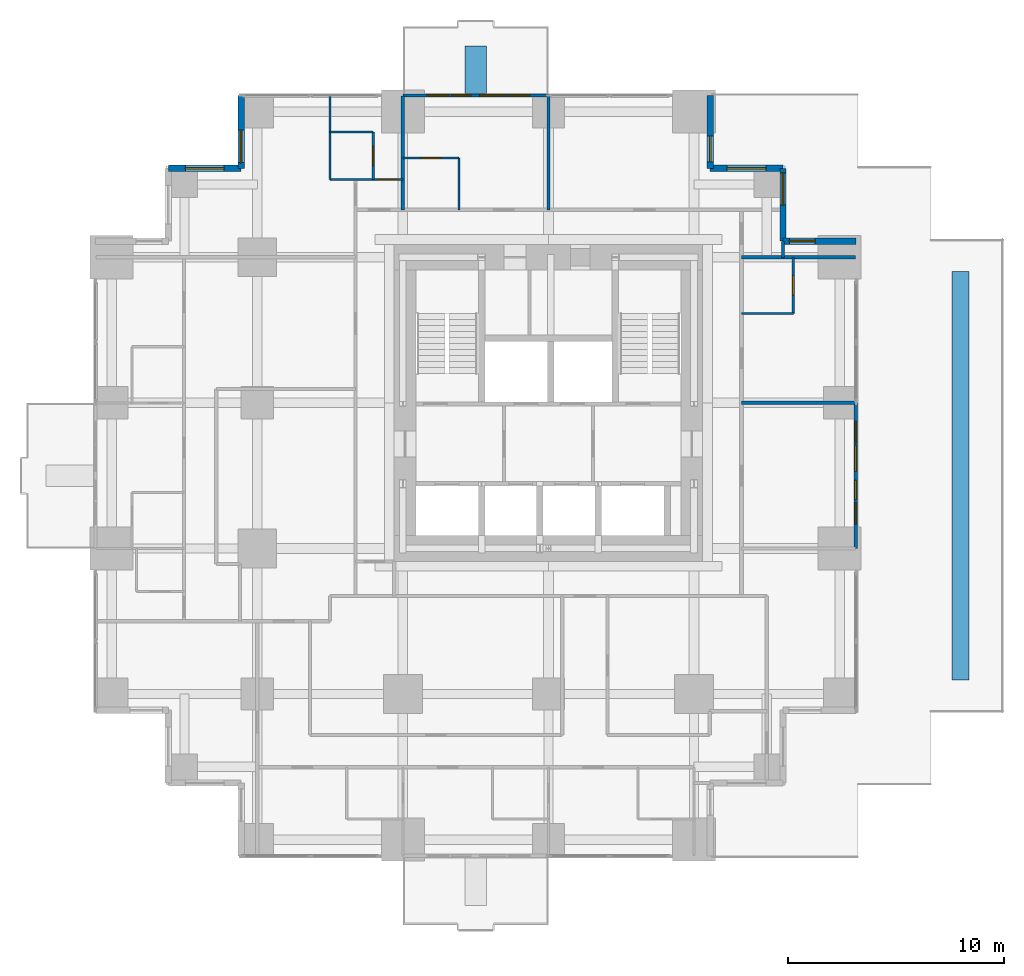
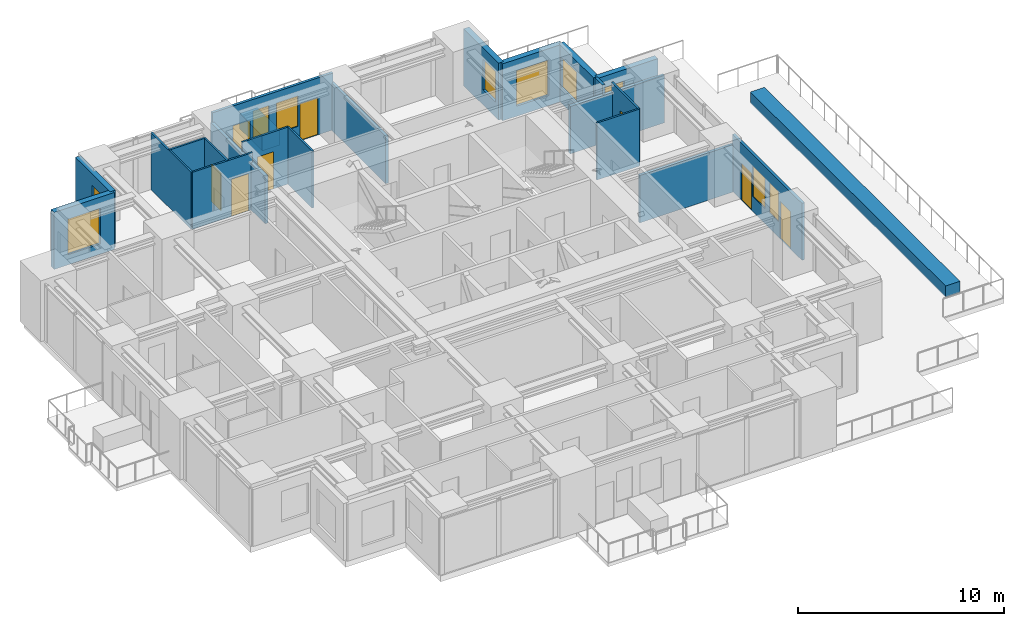
# One storey, part 8 of 10: 23 walls, 10 windows, 8 doors, 18 openings.
"""IFC4 building model written with IfcOpenShell, lengths in metres."""

import ifcopenshell
import ifcopenshell.guid

model = None  # the IFC model being written
_history = None  # IfcOwnerHistory: only IFC2X3 demands one
_inside = {}  # id of a spatial element -> (the spatial element, [elements in it])
_under = {}  # id of a project, library or spatial element -> (it, [spatial elements below it])
_declared = {}  # id of a project -> (the project, [libraries it declares])
_typed = {}  # id of a type object -> (the type object, [elements of that type])
_made_of = {}  # id of a material, layer set ... -> (it, [elements and type objects made of it])


def new_model(schema):
    """Start an empty IFC model of exactly this schema.

    Asked for "IFC4X3", IfcOpenShell would pick the latest addendum, in which some entities
    have other attributes; the version numbers below select the first issue.
    IFC2X3 requires an IfcOwnerHistory on every rooted entity: one is made here for all.
    """
    global model, _history
    if schema == "IFC4X3":
        model = ifcopenshell.file(schema_version=(4, 3, 0, 0))
    else:
        model = ifcopenshell.file(schema=schema)
    _inside.clear()
    _under.clear()
    _declared.clear()
    _typed.clear()
    _made_of.clear()
    _history = None
    if model.schema == "IFC2X3":
        org = make("IfcOrganization", Name="unknown")
        user = make(
            "IfcPersonAndOrganization",
            ThePerson=make("IfcPerson", FamilyName="unknown"),
            TheOrganization=org,
        )
        app = make(
            "IfcApplication",
            ApplicationDeveloper=org,
            Version="unknown",
            ApplicationFullName="unknown",
            ApplicationIdentifier="unknown",
        )
        _history = make(
            "IfcOwnerHistory",
            OwningUser=user,
            OwningApplication=app,
            ChangeAction="ADDED",
            CreationDate=0,
        )
    return model


def make(cls, **values):
    """One entity of the class cls with the attributes given. An attribute that is None is left unset."""
    return model.create_entity(
        cls, **{name: value for name, value in values.items() if value is not None}
    )


def rooted(cls, **values):
    """An entity with a GlobalId (a new one), such as an element, a storey or a relation."""
    return make(cls, GlobalId=ifcopenshell.guid.new(), OwnerHistory=_history, **values)


def si_unit(unit_type, name, prefix=None):
    """IfcSIUnit, for example si_unit("LENGTHUNIT", "METRE", prefix="MILLI")."""
    return make("IfcSIUnit", UnitType=unit_type, Prefix=prefix, Name=name)


def assignment(units):
    """IfcUnitAssignment: the units of a project."""
    return None if units is None else make("IfcUnitAssignment", Units=units)


def point(xyz):
    """IfcCartesianPoint."""
    return None if xyz is None else make("IfcCartesianPoint", Coordinates=xyz)


def direction(xyz):
    """IfcDirection."""
    return None if xyz is None else make("IfcDirection", DirectionRatios=xyz)


def frame(location, z_axis=None, x_axis=None):
    """IfcAxis2Placement3D, a coordinate frame: its origin and axes. An axis left out is left unset."""
    return make(
        "IfcAxis2Placement3D",
        Location=point(location),
        Axis=direction(z_axis),
        RefDirection=direction(x_axis),
    )


def frame_2d(location, x_axis=None):
    """IfcAxis2Placement2D, a coordinate frame in the plane: its origin and x axis."""
    return make(
        "IfcAxis2Placement2D", Location=point(location), RefDirection=direction(x_axis)
    )


def origin():
    """The frame at (0, 0, 0) with its axes left unset."""
    return frame((0.0, 0.0, 0.0))


def place(relative_to, where):
    """IfcLocalPlacement: puts the frame where relative to a parent placement (None: the world)."""
    return make(
        "IfcLocalPlacement", PlacementRelTo=relative_to, RelativePlacement=where
    )


def context(
    kind, dimensions, precision=None, world=None, true_north=None, identifier=None
):
    """IfcGeometricRepresentationContext, for example the 3D "Model" context."""
    return make(
        "IfcGeometricRepresentationContext",
        ContextIdentifier=identifier,
        ContextType=kind,
        CoordinateSpaceDimension=dimensions,
        Precision=precision,
        WorldCoordinateSystem=world,
        TrueNorth=true_north,
    )


def subcontext(parent, identifier, kind, view, scale=None):
    """IfcGeometricRepresentationSubContext, for example "Body" below "Model"."""
    return make(
        "IfcGeometricRepresentationSubContext",
        ContextIdentifier=identifier,
        ContextType=kind,
        ParentContext=parent,
        TargetScale=scale,
        TargetView=view,
    )


def project(units=None, contexts=None):
    """IfcProject with its units and contexts."""
    return rooted(
        "IfcProject",
        Name="project",
        RepresentationContexts=contexts,
        UnitsInContext=assignment(units),
    )


def spatial(cls, under=None, at=None, **own):
    """A site, building, storey or space (cls), placed at a placement, below another one or the project."""
    s = rooted(cls, ObjectPlacement=at, **own)
    if under is not None:
        _under.setdefault(under.id(), (under, []))[1].append(s)
    return s


def profile(cls, at=None, kind="AREA", **sizes):
    """A parametric profile (cls). Its sizes go by their IFC names, for example OverallWidth=200.0."""
    return make(cls, ProfileType=kind, Position=at, **sizes)


def rectangle(**sizes):
    """IfcRectangleProfileDef."""
    return profile("IfcRectangleProfileDef", **sizes)


def extrude(swept, where, along, depth):
    """IfcExtrudedAreaSolid: the profile swept, set in the frame where, extruded along a direction by depth."""
    return make(
        "IfcExtrudedAreaSolid",
        SweptArea=swept,
        Position=where,
        ExtrudedDirection=direction(along),
        Depth=depth,
    )


def shape(context_of_items, identifier, shape_type, items):
    """IfcShapeRepresentation: the items that make up one representation, for example the "Body"."""
    return make(
        "IfcShapeRepresentation",
        ContextOfItems=context_of_items,
        RepresentationIdentifier=identifier,
        RepresentationType=shape_type,
        Items=items,
    )


def material(Name=None, Category=None):
    """IfcMaterial."""
    return make("IfcMaterial", Name=Name, Category=Category)


def layer(
    of_material, thickness, ventilated=None, Name=None, Category=None, Priority=None
):
    """IfcMaterialLayer: one layer of a wall or slab, of a material (None: an air gap)."""
    return make(
        "IfcMaterialLayer",
        Material=of_material,
        LayerThickness=thickness,
        IsVentilated=ventilated,
        Name=Name,
        Category=Category,
        Priority=Priority,
    )


def layer_set(layers, Name=None):
    """IfcMaterialLayerSet."""
    return make("IfcMaterialLayerSet", MaterialLayers=layers, LayerSetName=Name)


def made_of(thing, what):
    """Note that an element or type object is made of a material, layer set ...; save() writes the relation."""
    if what is not None:
        _made_of.setdefault(what.id(), (what, []))[1].append(thing)
    return thing


def type_object(cls, material=None, **own):
    """A type object (cls), such as IfcWallType, which elements share."""
    return made_of(rooted(cls, **own), material)


def element(
    cls,
    number,
    at=None,
    inside=None,
    cuts=None,
    type_object=None,
    material=None,
    context=None,
    identifier="Body",
    shape_type=None,
    held_by="IfcProductDefinitionShape",
    body=None,
    shapes=None,
    **own,
):
    """One element of the class cls, such as IfcWall. Its Tag is "e" and its number.

    at: its placement. inside: the storey or other place that contains it. cuts: it is an
    opening in that element (IfcRelVoidsElement). A single representation is given by context,
    identifier, shape_type and body (its items); several are given by shapes. held_by: the class
    of the entity that holds the representations. save() writes the other relations.
    """
    e = rooted(cls, Tag="e%d" % number, ObjectPlacement=at, **own)
    if body is not None:
        shapes = [shape(context, identifier, shape_type, body)]
    if shapes is not None:
        e.Representation = make(held_by, Representations=shapes)
    if inside is not None:
        _inside.setdefault(inside.id(), (inside, []))[1].append(e)
    if cuts is not None:
        rooted(
            "IfcRelVoidsElement", RelatingBuildingElement=cuts, RelatedOpeningElement=e
        )
    if type_object is not None:
        _typed.setdefault(type_object.id(), (type_object, []))[1].append(e)
    return made_of(e, material)


def fill(opening, filler):
    """IfcRelFillsElement: the door or window that sits in an opening."""
    return rooted(
        "IfcRelFillsElement",
        RelatingOpeningElement=opening,
        RelatedBuildingElement=filler,
    )


def aggregate(whole, parts):
    """IfcRelAggregates: a whole, such as a stair, and the parts it consists of."""
    return rooted("IfcRelAggregates", RelatingObject=whole, RelatedObjects=parts)


def save(model, path):
    """Write the relations noted so far, then the file.

    IfcRelAggregates (storeys below a building ...), IfcRelContainedInSpatialStructure (elements
    in a storey), IfcRelDefinesByType, IfcRelAssociatesMaterial and IfcRelDeclares: one each for
    every whole, place, type object, material and project.
    """
    for whole, parts in _under.values():
        aggregate(whole, parts)
    for where, things in _inside.values():
        rooted(
            "IfcRelContainedInSpatialStructure",
            RelatedElements=things,
            RelatingStructure=where,
        )
    for kind, things in _typed.values():
        rooted("IfcRelDefinesByType", RelatedObjects=things, RelatingType=kind)
    for what, things in _made_of.values():
        rooted("IfcRelAssociatesMaterial", RelatedObjects=things, RelatingMaterial=what)
    for by, libraries in _declared.values():
        rooted("IfcRelDeclares", RelatingContext=by, RelatedDefinitions=libraries)
    model.write(path)


model = new_model("IFC4")

# Units and contexts
model_context = context("Model", 3, precision=1e-05, world=origin(), true_north=direction((0.0, 1.0)))
body_context = subcontext(model_context, "Body", "Model", "MODEL_VIEW")
ifc_project = project(units=[si_unit("LENGTHUNIT", "METRE"), si_unit("AREAUNIT", "SQUARE_METRE"), si_unit("VOLUMEUNIT", "CUBIC_METRE"), si_unit("PLANEANGLEUNIT", "RADIAN"), si_unit("MASSUNIT", "GRAM", prefix="KILO")], contexts=[model_context])

# Site, building, storey
site_placement = place(None, origin())
site = spatial("IfcSite", under=ifc_project, at=site_placement, CompositionType="ELEMENT")
building_placement = place(site_placement, origin())
building = spatial("IfcBuilding", under=site, at=building_placement, Name="Nyansa Garden Tower", CompositionType="ELEMENT")
storey_placement = place(building_placement, frame((0.0, 0.0, 142.199951171875)))
storey = spatial("IfcBuildingStorey", under=building, at=storey_placement, Name="L38", CompositionType="ELEMENT", Elevation=142.199951171875)

# Walls
ifc_material_1 = material(Name="Dense blockwork, plastered both sides, 55 dB", Category="masonry")
ifc_layer_1 = layer(ifc_material_1, 0.175048828125)
ifc_layer_set_1 = layer_set([ifc_layer_1], Name="Acoustic party wall PW175")
wall_type_1 = type_object("IfcWallType", Name="Acoustic party wall PW175", PredefinedType="PARTITIONING", material=ifc_layer_set_1)
for number, where, z_axis, x_axis, name in (
    (1, (13.5, 29.199951171875, 0.0), (0.0, 0.0, 1.0), (0.0, 1.0, 0.0), "Party wall"),
    (2, (29.199951171875, 27.0, 0.0), (0.0, 0.0, 1.0), (1.0, 0.0, 0.0), "Party wall"),
):
    element("IfcWall", number, at=place(storey_placement, frame(where, z_axis=z_axis, x_axis=x_axis)), inside=storey, type_object=wall_type_1, Name=name, PredefinedType="PARTITIONING", context=body_context, shape_type="SweptSolid", body=[
        extrude(rectangle(XDim=5.283935546875, YDim=0.175048828125, at=frame_2d((2.64208984375, 0.0))), origin(), (0.0, 0.0, 1.0), 2.80615234375),
    ])

# Wall, openings, doors, windows
ifc_material_2 = material(Name="Black aluminium framed glazed screen", Category="aluminium")
ifc_layer_2 = layer(ifc_material_2, 0.14990234375)
ifc_layer_set_2 = layer_set([ifc_layer_2], Name="Balcony screen wall BW150")
wall_type_2 = type_object("IfcWallType", Name="Balcony screen wall BW150", PredefinedType="SOLIDWALL", material=ifc_layer_set_2)
wall_1_placement = place(storey_placement, frame((34.5, 20.25, 0.0), z_axis=(0.0, 0.0, 1.0), x_axis=(0.0, -1.0, 0.0)))
wall_1 = element("IfcWall", 3, at=wall_1_placement, inside=storey, type_object=wall_type_2, Name="Glazed screen wall L38 E", PredefinedType="SOLIDWALL", context=body_context, shape_type="SweptSolid", body=[
    extrude(rectangle(XDim=6.75, YDim=0.14990234375, at=frame_2d((3.375, 0.0))), origin(), (0.0, 0.0, 1.0), 3.375),
])
opening_1_placement = place(wall_1_placement, frame((0.862548828125, 0.0, 0.0)))
opening_1 = element("IfcOpeningElement", 4, at=opening_1_placement, cuts=wall_1, Name="Opening D20", PredefinedType="OPENING", context=body_context, shape_type="SweptSolid", body=[
    extrude(rectangle(XDim=1.0, YDim=2.199951171875, at=frame_2d((0.5, 1.10009765625))), frame((0.0, 0.0849609375, 0.0), z_axis=(0.0, -1.0, 0.0), x_axis=(1.0, 0.0, 0.0)), (0.0, 0.0, 1.0), 0.169921875),
])
opening_2_placement = place(wall_1_placement, frame((1.97509765625, 0.0, 0.89990234375)))
opening_2 = element("IfcOpeningElement", 5, at=opening_2_placement, cuts=wall_1, Name="Opening W6", PredefinedType="OPENING", context=body_context, shape_type="SweptSolid", body=[
    extrude(rectangle(XDim=1.199951171875, YDim=1.800048828125, at=frame_2d((0.60009765625, 0.89990234375))), frame((0.0, 0.0849609375, 0.0), z_axis=(0.0, -1.0, 0.0), x_axis=(1.0, 0.0, 0.0)), (0.0, 0.0, 1.0), 0.169921875),
])
opening_3_placement = place(wall_1_placement, frame((4.620849609375, 0.0, 0.0)))
opening_3 = element("IfcOpeningElement", 6, at=opening_3_placement, cuts=wall_1, Name="Opening D20", PredefinedType="OPENING", context=body_context, shape_type="SweptSolid", body=[
    extrude(rectangle(XDim=1.0, YDim=2.199951171875, at=frame_2d((0.5, 1.10009765625))), frame((0.0, 0.0849609375, 0.0), z_axis=(0.0, -1.0, 0.0), x_axis=(1.0, 0.0, 0.0)), (0.0, 0.0, 1.0), 0.169921875),
])
opening_4_placement = place(wall_1_placement, frame((3.591552734375, 0.0, 0.89990234375)))
opening_4 = element("IfcOpeningElement", 7, at=opening_4_placement, cuts=wall_1, Name="Opening W7", PredefinedType="OPENING", context=body_context, shape_type="SweptSolid", body=[
    extrude(rectangle(XDim=0.89990234375, YDim=1.800048828125, at=frame_2d((0.449951171875, 0.89990234375))), frame((0.0, 0.0849609375, 0.0), z_axis=(0.0, -1.0, 0.0), x_axis=(1.0, 0.0, 0.0)), (0.0, 0.0, 1.0), 0.169921875),
])
ifc_material_3 = material(Name="Black aluminium framed glazed door", Category="aluminium")
door_type_1 = type_object("IfcDoorType", Name="Balcony door D20 1000x2200", OperationType="NOTDEFINED", PredefinedType="DOOR", material=ifc_material_3)
door_1_placement = place(opening_1_placement, origin())
door_1 = element("IfcDoor", 8, at=door_1_placement, inside=storey, type_object=door_type_1, Name="Roof maintenance door L38", OperationType="SINGLE_SWING_LEFT", OverallHeight=2.199951171875, OverallWidth=1.0, PredefinedType="DOOR", context=body_context, shape_type="SweptSolid", body=[
    extrude(rectangle(XDim=1.0, YDim=2.199951171875, at=frame_2d((0.5, 1.10009765625))), frame((0.0, 0.02490234375, 0.0), z_axis=(0.0, -1.0, 0.0), x_axis=(1.0, 0.0, 0.0)), (0.0, 0.0, 1.0), 0.050048828125),
])
fill(opening_1, door_1)
door_2_placement = place(opening_3_placement, origin())
door_2 = element("IfcDoor", 9, at=door_2_placement, inside=storey, type_object=door_type_1, Name="Roof maintenance door L38", OperationType="SINGLE_SWING_RIGHT", OverallHeight=2.199951171875, OverallWidth=1.0, PredefinedType="DOOR", context=body_context, shape_type="SweptSolid", body=[
    extrude(rectangle(XDim=1.0, YDim=2.199951171875, at=frame_2d((0.5, 1.10009765625))), frame((0.0, 0.02490234375, 0.0), z_axis=(0.0, -1.0, 0.0), x_axis=(1.0, 0.0, 0.0)), (0.0, 0.0, 1.0), 0.050048828125),
])
fill(opening_3, door_2)
ifc_material_4 = material(Name="Black aluminium frame, dark tinted double glazing", Category="aluminium")
window_type_1 = type_object("IfcWindowType", Name="Balcony window W6 1200x1800", PartitioningType="SINGLE_PANEL", PredefinedType="WINDOW", material=ifc_material_4)
window_1_placement = place(opening_2_placement, origin())
window_1 = element("IfcWindow", 10, at=window_1_placement, inside=storey, type_object=window_type_1, Name="Window L38", OverallHeight=1.800048828125, OverallWidth=1.199951171875, PartitioningType="SINGLE_PANEL", PredefinedType="WINDOW", context=body_context, shape_type="SweptSolid", body=[
    extrude(rectangle(XDim=1.199951171875, YDim=1.800048828125, at=frame_2d((0.60009765625, 0.89990234375))), frame((0.0, 0.030029296875, 0.0), z_axis=(0.0, -1.0, 0.0), x_axis=(1.0, 0.0, 0.0)), (0.0, 0.0, 1.0), 0.06005859375),
])
fill(opening_2, window_1)
ifc_material_5 = material(Name="Black aluminium frame, dark tinted double glazing", Category="aluminium")
window_type_2 = type_object("IfcWindowType", Name="Balcony window W7 900x1800", PartitioningType="SINGLE_PANEL", PredefinedType="WINDOW", material=ifc_material_5)
window_2_placement = place(opening_4_placement, origin())
window_2 = element("IfcWindow", 11, at=window_2_placement, inside=storey, type_object=window_type_2, Name="Window L38", OverallHeight=1.800048828125, OverallWidth=0.89990234375, PartitioningType="SINGLE_PANEL", PredefinedType="WINDOW", context=body_context, shape_type="SweptSolid", body=[
    extrude(rectangle(XDim=0.89990234375, YDim=1.800048828125, at=frame_2d((0.449951171875, 0.89990234375))), frame((0.0, 0.030029296875, 0.0), z_axis=(0.0, -1.0, 0.0), x_axis=(1.0, 0.0, 0.0)), (0.0, 0.0, 1.0), 0.06005859375),
])
fill(opening_4, window_2)

wall_2_placement = place(storey_placement, frame((13.5, 34.5, 0.0), z_axis=(0.0, 0.0, 1.0), x_axis=(1.0, 0.0, 0.0)))
wall_2 = element("IfcWall", 12, at=wall_2_placement, inside=storey, type_object=wall_type_2, Name="Glazed screen wall L38 N", PredefinedType="SOLIDWALL", context=body_context, shape_type="SweptSolid", body=[
    extrude(rectangle(XDim=6.75, YDim=0.14990234375, at=frame_2d((3.375, 0.0))), origin(), (0.0, 0.0, 1.0), 3.375),
])
opening_5_placement = place(wall_2_placement, frame((1.129150390625, 0.0, 0.0)))
opening_5 = element("IfcOpeningElement", 13, at=opening_5_placement, cuts=wall_2, Name="Opening D20", PredefinedType="OPENING", context=body_context, shape_type="SweptSolid", body=[
    extrude(rectangle(XDim=1.0, YDim=2.199951171875, at=frame_2d((0.5, 1.10009765625))), frame((0.0, 0.0849609375, 0.0), z_axis=(0.0, -1.0, 0.0), x_axis=(1.0, 0.0, 0.0)), (0.0, 0.0, 1.0), 0.169921875),
])
opening_6_placement = place(wall_2_placement, frame((2.25830078125, 0.0, 0.89990234375)))
opening_6 = element("IfcOpeningElement", 14, at=opening_6_placement, cuts=wall_2, Name="Opening W7", PredefinedType="OPENING", context=body_context, shape_type="SweptSolid", body=[
    extrude(rectangle(XDim=0.89990234375, YDim=1.800048828125, at=frame_2d((0.449951171875, 0.89990234375))), frame((0.0, 0.0849609375, 0.0), z_axis=(0.0, -1.0, 0.0), x_axis=(1.0, 0.0, 0.0)), (0.0, 0.0, 1.0), 0.169921875),
])
opening_7_placement = place(wall_2_placement, frame((4.887451171875, 0.0, 0.0)))
opening_7 = element("IfcOpeningElement", 15, at=opening_7_placement, cuts=wall_2, Name="Opening D20", PredefinedType="OPENING", context=body_context, shape_type="SweptSolid", body=[
    extrude(rectangle(XDim=1.0, YDim=2.199951171875, at=frame_2d((0.5, 1.10009765625))), frame((0.0, 0.0849609375, 0.0), z_axis=(0.0, -1.0, 0.0), x_axis=(1.0, 0.0, 0.0)), (0.0, 0.0, 1.0), 0.169921875),
])
opening_8_placement = place(wall_2_placement, frame((3.574951171875, 0.0, 0.89990234375)))
opening_8 = element("IfcOpeningElement", 16, at=opening_8_placement, cuts=wall_2, Name="Opening W6", PredefinedType="OPENING", context=body_context, shape_type="SweptSolid", body=[
    extrude(rectangle(XDim=1.199951171875, YDim=1.800048828125, at=frame_2d((0.60009765625, 0.89990234375))), frame((0.0, 0.0849609375, 0.0), z_axis=(0.0, -1.0, 0.0), x_axis=(1.0, 0.0, 0.0)), (0.0, 0.0, 1.0), 0.169921875),
])
door_3_placement = place(opening_5_placement, origin())
door_3 = element("IfcDoor", 17, at=door_3_placement, inside=storey, type_object=door_type_1, Name="Balcony door L38", OperationType="SINGLE_SWING_LEFT", OverallHeight=2.199951171875, OverallWidth=1.0, PredefinedType="DOOR", context=body_context, shape_type="SweptSolid", body=[
    extrude(rectangle(XDim=1.0, YDim=2.199951171875, at=frame_2d((0.5, 1.10009765625))), frame((0.0, 0.02490234375, 0.0), z_axis=(0.0, -1.0, 0.0), x_axis=(1.0, 0.0, 0.0)), (0.0, 0.0, 1.0), 0.050048828125),
])
fill(opening_5, door_3)
door_4_placement = place(opening_7_placement, origin())
door_4 = element("IfcDoor", 18, at=door_4_placement, inside=storey, type_object=door_type_1, Name="Balcony door L38", OperationType="SINGLE_SWING_RIGHT", OverallHeight=2.199951171875, OverallWidth=1.0, PredefinedType="DOOR", context=body_context, shape_type="SweptSolid", body=[
    extrude(rectangle(XDim=1.0, YDim=2.199951171875, at=frame_2d((0.5, 1.10009765625))), frame((0.0, 0.02490234375, 0.0), z_axis=(0.0, -1.0, 0.0), x_axis=(1.0, 0.0, 0.0)), (0.0, 0.0, 1.0), 0.050048828125),
])
fill(opening_7, door_4)
window_3_placement = place(opening_8_placement, origin())
window_3 = element("IfcWindow", 19, at=window_3_placement, inside=storey, type_object=window_type_1, Name="Window L38", OverallHeight=1.800048828125, OverallWidth=1.199951171875, PartitioningType="SINGLE_PANEL", PredefinedType="WINDOW", context=body_context, shape_type="SweptSolid", body=[
    extrude(rectangle(XDim=1.199951171875, YDim=1.800048828125, at=frame_2d((0.60009765625, 0.89990234375))), frame((0.0, 0.030029296875, 0.0), z_axis=(0.0, -1.0, 0.0), x_axis=(1.0, 0.0, 0.0)), (0.0, 0.0, 1.0), 0.06005859375),
])
fill(opening_8, window_3)
window_4_placement = place(opening_6_placement, origin())
window_4 = element("IfcWindow", 20, at=window_4_placement, inside=storey, type_object=window_type_2, Name="Window L38", OverallHeight=1.800048828125, OverallWidth=0.89990234375, PartitioningType="SINGLE_PANEL", PredefinedType="WINDOW", context=body_context, shape_type="SweptSolid", body=[
    extrude(rectangle(XDim=0.89990234375, YDim=1.800048828125, at=frame_2d((0.449951171875, 0.89990234375))), frame((0.0, 0.030029296875, 0.0), z_axis=(0.0, -1.0, 0.0), x_axis=(1.0, 0.0, 0.0)), (0.0, 0.0, 1.0), 0.06005859375),
])
fill(opening_6, window_4)

# Walls
ifc_material_6 = material(Name="Blockwork, plastered both sides", Category="masonry")
ifc_layer_3 = layer(ifc_material_6, 0.14990234375)
ifc_layer_set_3 = layer_set([ifc_layer_3], Name="Partition PW150")
wall_type_3 = type_object("IfcWallType", Name="Partition PW150", PredefinedType="PARTITIONING", material=ifc_layer_set_3)
for number, where, z_axis, x_axis, name in (
    (21, (20.25, 29.199951171875, 0.0), (0.0, 0.0, 1.0), (0.0, 1.0, 0.0), "Partition"),
    (22, (29.199951171875, 20.25, 0.0), (0.0, 0.0, 1.0), (1.0, 0.0, 0.0), "Partition"),
):
    element("IfcWall", number, at=place(storey_placement, frame(where, z_axis=z_axis, x_axis=x_axis)), inside=storey, type_object=wall_type_3, Name=name, PredefinedType="PARTITIONING", context=body_context, shape_type="SweptSolid", body=[
        extrude(rectangle(XDim=5.283935546875, YDim=0.14990234375, at=frame_2d((2.64208984375, 0.0))), origin(), (0.0, 0.0, 1.0), 2.80615234375),
    ])
wall_3_placement = place(storey_placement, frame((31.125, 27.0, 0.0), z_axis=(0.0, 0.0, 1.0), x_axis=(0.0, 1.0, 0.0)))
element("IfcWall", 23, at=wall_3_placement, inside=storey, type_object=wall_type_3, Name="Partition", PredefinedType="PARTITIONING", context=body_context, shape_type="SweptSolid", body=[
    extrude(rectangle(XDim=0.73388671875, YDim=0.14990234375, at=frame_2d((0.366943359375, 0.0))), origin(), (0.0, 0.0, 1.0), 3.375),
])
ifc_material_7 = material(Name="Concrete C40/50 planter, waterproofed", Category="concrete")
ifc_layer_4 = layer(ifc_material_7, 0.800048828125)
ifc_layer_set_4 = layer_set([ifc_layer_4], Name="Terrace planter TP2")
wall_type_4 = type_object("IfcWallType", Name="Terrace planter TP2", PredefinedType="USERDEFINED", material=ifc_layer_set_4)
wall_4_placement = place(storey_placement, frame((39.35009765625, 26.35009765625, -0.06005859375), z_axis=(0.0, 0.0, 1.0), x_axis=(0.0, -1.0, 0.0)))
element("IfcWall", 24, at=wall_4_placement, inside=storey, type_object=wall_type_4, Name="Terrace planter L38", ObjectType="TERRACE PLANTER", PredefinedType="USERDEFINED", context=body_context, shape_type="SweptSolid", body=[
    extrude(rectangle(XDim=18.9501953125, YDim=0.800048828125, at=frame_2d((9.47509765625, 0.0))), origin(), (0.0, 0.0, 1.0), 0.66015625),
])

# Wall, opening, window
ifc_material_8 = material(Name="Turquoise glazed tile on concrete blockwork", Category="masonry")
ifc_layer_5 = layer(ifc_material_8, 0.300048828125)
ifc_layer_set_5 = layer_set([ifc_layer_5], Name="Tiled corner wall TW300")
wall_type_5 = type_object("IfcWallType", Name="Tiled corner wall TW300", PredefinedType="SOLIDWALL", material=ifc_layer_set_5)
wall_5_placement = place(storey_placement, frame((34.5, 27.75, 0.0), z_axis=(0.0, 0.0, 1.0), x_axis=(-1.0, 0.0, 0.0)))
wall_5 = element("IfcWall", 25, at=wall_5_placement, inside=storey, type_object=wall_type_5, Name="Tiled corner wall L38", PredefinedType="SOLIDWALL", context=body_context, shape_type="SweptSolid", body=[
    extrude(rectangle(XDim=3.375, YDim=0.300048828125, at=frame_2d((1.6875, 0.0))), origin(), (0.0, 0.0, 1.0), 3.375),
])
opening_9_placement = place(wall_5_placement, frame((1.882568359375, 0.0, 0.89990234375)))
opening_9 = element("IfcOpeningElement", 26, at=opening_9_placement, cuts=wall_5, Name="Opening W4", PredefinedType="OPENING", context=body_context, shape_type="SweptSolid", body=[
    extrude(rectangle(XDim=1.199951171875, YDim=1.800048828125, at=frame_2d((0.60009765625, 0.89990234375))), frame((0.0, 0.159912109375, 0.0), z_axis=(0.0, -1.0, 0.0), x_axis=(1.0, 0.0, 0.0)), (0.0, 0.0, 1.0), 0.320068359375),
])
ifc_material_9 = material(Name="Black aluminium frame, dark tinted double glazing", Category="aluminium")
window_type_3 = type_object("IfcWindowType", Name="Window W4 1200x1800", PartitioningType="SINGLE_PANEL", PredefinedType="WINDOW", material=ifc_material_9)
window_5_placement = place(opening_9_placement, origin())
window_5 = element("IfcWindow", 27, at=window_5_placement, inside=storey, type_object=window_type_3, Name="Corner window L38", OverallHeight=1.800048828125, OverallWidth=1.199951171875, PartitioningType="SINGLE_PANEL", PredefinedType="WINDOW", context=body_context, shape_type="SweptSolid", body=[
    extrude(rectangle(XDim=1.199951171875, YDim=1.800048828125, at=frame_2d((0.60009765625, 0.89990234375))), frame((0.0, 0.030029296875, 0.0), z_axis=(0.0, -1.0, 0.0), x_axis=(1.0, 0.0, 0.0)), (0.0, 0.0, 1.0), 0.06005859375),
])
fill(opening_9, window_5)

wall_6_placement = place(storey_placement, frame((31.125, 27.75, 0.0), z_axis=(0.0, 0.0, 1.0), x_axis=(0.0, 1.0, 0.0)))
wall_6 = element("IfcWall", 28, at=wall_6_placement, inside=storey, type_object=wall_type_5, Name="Tiled corner wall L38", PredefinedType="SOLIDWALL", context=body_context, shape_type="SweptSolid", body=[
    extrude(rectangle(XDim=3.375, YDim=0.300048828125, at=frame_2d((1.6875, 0.0))), origin(), (0.0, 0.0, 1.0), 3.375),
])
opening_10_placement = place(wall_6_placement, frame((1.66259765625, 0.0, 0.89990234375)))
opening_10 = element("IfcOpeningElement", 29, at=opening_10_placement, cuts=wall_6, Name="Opening W1", PredefinedType="OPENING", context=body_context, shape_type="SweptSolid", body=[
    extrude(rectangle(XDim=1.5, YDim=1.800048828125, at=frame_2d((0.75, 0.89990234375))), frame((0.0, 0.159912109375, 0.0), z_axis=(0.0, -1.0, 0.0), x_axis=(1.0, 0.0, 0.0)), (0.0, 0.0, 1.0), 0.320068359375),
])
ifc_material_10 = material(Name="Black aluminium frame, dark tinted double glazing", Category="aluminium")
window_type_4 = type_object("IfcWindowType", Name="Window W1 1500x1800", PartitioningType="SINGLE_PANEL", PredefinedType="WINDOW", material=ifc_material_10)
window_6_placement = place(opening_10_placement, origin())
window_6 = element("IfcWindow", 30, at=window_6_placement, inside=storey, type_object=window_type_4, Name="Corner window L38", OverallHeight=1.800048828125, OverallWidth=1.5, PartitioningType="SINGLE_PANEL", PredefinedType="WINDOW", context=body_context, shape_type="SweptSolid", body=[
    extrude(rectangle(XDim=1.5, YDim=1.800048828125, at=frame_2d((0.75, 0.89990234375))), frame((0.0, 0.030029296875, 0.0), z_axis=(0.0, -1.0, 0.0), x_axis=(1.0, 0.0, 0.0)), (0.0, 0.0, 1.0), 0.06005859375),
])
fill(opening_10, window_6)

wall_7_placement = place(storey_placement, frame((31.125, 31.125, 0.0), z_axis=(0.0, 0.0, 1.0), x_axis=(-1.0, 0.0, 0.0)))
wall_7 = element("IfcWall", 31, at=wall_7_placement, inside=storey, type_object=wall_type_5, Name="Tiled corner wall L38", PredefinedType="SOLIDWALL", context=body_context, shape_type="SweptSolid", body=[
    extrude(rectangle(XDim=3.375, YDim=0.300048828125, at=frame_2d((1.6875, 0.0))), origin(), (0.0, 0.0, 1.0), 3.375),
])
opening_11_placement = place(wall_7_placement, frame((0.78759765625, 0.0, 0.60009765625)))
opening_11 = element("IfcOpeningElement", 32, at=opening_11_placement, cuts=wall_7, Name="Opening W2", PredefinedType="OPENING", context=body_context, shape_type="SweptSolid", body=[
    extrude(rectangle(XDim=1.800048828125, YDim=2.10009765625, at=frame_2d((0.89990234375, 1.050048828125))), frame((0.0, 0.159912109375, 0.0), z_axis=(0.0, -1.0, 0.0), x_axis=(1.0, 0.0, 0.0)), (0.0, 0.0, 1.0), 0.320068359375),
])
ifc_material_11 = material(Name="Black aluminium frame, dark tinted double glazing", Category="aluminium")
window_type_5 = type_object("IfcWindowType", Name="Window W2 1800x2100", PartitioningType="SINGLE_PANEL", PredefinedType="WINDOW", material=ifc_material_11)
window_7_placement = place(opening_11_placement, origin())
window_7 = element("IfcWindow", 33, at=window_7_placement, inside=storey, type_object=window_type_5, Name="Corner window L38", OverallHeight=2.10009765625, OverallWidth=1.800048828125, PartitioningType="SINGLE_PANEL", PredefinedType="WINDOW", context=body_context, shape_type="SweptSolid", body=[
    extrude(rectangle(XDim=1.800048828125, YDim=2.10009765625, at=frame_2d((0.89990234375, 1.050048828125))), frame((0.0, 0.030029296875, 0.0), z_axis=(0.0, -1.0, 0.0), x_axis=(1.0, 0.0, 0.0)), (0.0, 0.0, 1.0), 0.06005859375),
])
fill(opening_11, window_7)

wall_8_placement = place(storey_placement, frame((27.75, 31.125, 0.0), z_axis=(0.0, 0.0, 1.0), x_axis=(0.0, 1.0, 0.0)))
wall_8 = element("IfcWall", 34, at=wall_8_placement, inside=storey, type_object=wall_type_5, Name="Tiled corner wall L38", PredefinedType="SOLIDWALL", context=body_context, shape_type="SweptSolid", body=[
    extrude(rectangle(XDim=3.375, YDim=0.300048828125, at=frame_2d((1.6875, 0.0))), origin(), (0.0, 0.0, 1.0), 3.375),
])
opening_12_placement = place(wall_8_placement, frame((0.29248046875, 0.0, 0.89990234375)))
opening_12 = element("IfcOpeningElement", 35, at=opening_12_placement, cuts=wall_8, Name="Opening W4", PredefinedType="OPENING", context=body_context, shape_type="SweptSolid", body=[
    extrude(rectangle(XDim=1.199951171875, YDim=1.800048828125, at=frame_2d((0.60009765625, 0.89990234375))), frame((0.0, 0.159912109375, 0.0), z_axis=(0.0, -1.0, 0.0), x_axis=(1.0, 0.0, 0.0)), (0.0, 0.0, 1.0), 0.320068359375),
])
window_8_placement = place(opening_12_placement, origin())
window_8 = element("IfcWindow", 36, at=window_8_placement, inside=storey, type_object=window_type_3, Name="Corner window L38", OverallHeight=1.800048828125, OverallWidth=1.199951171875, PartitioningType="SINGLE_PANEL", PredefinedType="WINDOW", context=body_context, shape_type="SweptSolid", body=[
    extrude(rectangle(XDim=1.199951171875, YDim=1.800048828125, at=frame_2d((0.60009765625, 0.89990234375))), frame((0.0, 0.030029296875, 0.0), z_axis=(0.0, -1.0, 0.0), x_axis=(1.0, 0.0, 0.0)), (0.0, 0.0, 1.0), 0.06005859375),
])
fill(opening_12, window_8)

wall_9_placement = place(storey_placement, frame((6.0, 34.5, 0.0), z_axis=(0.0, 0.0, 1.0), x_axis=(0.0, -1.0, 0.0)))
wall_9 = element("IfcWall", 37, at=wall_9_placement, inside=storey, type_object=wall_type_5, Name="Tiled corner wall L38", PredefinedType="SOLIDWALL", context=body_context, shape_type="SweptSolid", body=[
    extrude(rectangle(XDim=3.375, YDim=0.300048828125, at=frame_2d((1.6875, 0.0))), origin(), (0.0, 0.0, 1.0), 3.375),
])
opening_13_placement = place(wall_9_placement, frame((1.607421875, 0.0, 0.89990234375)))
opening_13 = element("IfcOpeningElement", 38, at=opening_13_placement, cuts=wall_9, Name="Opening W1", PredefinedType="OPENING", context=body_context, shape_type="SweptSolid", body=[
    extrude(rectangle(XDim=1.5, YDim=1.800048828125, at=frame_2d((0.75, 0.89990234375))), frame((0.0, 0.159912109375, 0.0), z_axis=(0.0, -1.0, 0.0), x_axis=(1.0, 0.0, 0.0)), (0.0, 0.0, 1.0), 0.320068359375),
])
window_9_placement = place(opening_13_placement, origin())
window_9 = element("IfcWindow", 39, at=window_9_placement, inside=storey, type_object=window_type_4, Name="Corner window L38", OverallHeight=1.800048828125, OverallWidth=1.5, PartitioningType="SINGLE_PANEL", PredefinedType="WINDOW", context=body_context, shape_type="SweptSolid", body=[
    extrude(rectangle(XDim=1.5, YDim=1.800048828125, at=frame_2d((0.75, 0.89990234375))), frame((0.0, 0.030029296875, 0.0), z_axis=(0.0, -1.0, 0.0), x_axis=(1.0, 0.0, 0.0)), (0.0, 0.0, 1.0), 0.06005859375),
])
fill(opening_13, window_9)

wall_10_placement = place(storey_placement, frame((6.0, 31.125, 0.0), z_axis=(0.0, 0.0, 1.0), x_axis=(-1.0, 0.0, 0.0)))
wall_10 = element("IfcWall", 40, at=wall_10_placement, inside=storey, type_object=wall_type_5, Name="Tiled corner wall L38", PredefinedType="SOLIDWALL", context=body_context, shape_type="SweptSolid", body=[
    extrude(rectangle(XDim=3.375, YDim=0.300048828125, at=frame_2d((1.6875, 0.0))), origin(), (0.0, 0.0, 1.0), 3.375),
])
opening_14_placement = place(wall_10_placement, frame((0.78759765625, 0.0, 0.60009765625)))
opening_14 = element("IfcOpeningElement", 41, at=opening_14_placement, cuts=wall_10, Name="Opening W2", PredefinedType="OPENING", context=body_context, shape_type="SweptSolid", body=[
    extrude(rectangle(XDim=1.800048828125, YDim=2.10009765625, at=frame_2d((0.89990234375, 1.050048828125))), frame((0.0, 0.159912109375, 0.0), z_axis=(0.0, -1.0, 0.0), x_axis=(1.0, 0.0, 0.0)), (0.0, 0.0, 1.0), 0.320068359375),
])
window_10_placement = place(opening_14_placement, origin())
window_10 = element("IfcWindow", 42, at=window_10_placement, inside=storey, type_object=window_type_5, Name="Corner window L38", OverallHeight=2.10009765625, OverallWidth=1.800048828125, PartitioningType="SINGLE_PANEL", PredefinedType="WINDOW", context=body_context, shape_type="SweptSolid", body=[
    extrude(rectangle(XDim=1.800048828125, YDim=2.10009765625, at=frame_2d((0.89990234375, 1.050048828125))), frame((0.0, 0.030029296875, 0.0), z_axis=(0.0, -1.0, 0.0), x_axis=(1.0, 0.0, 0.0)), (0.0, 0.0, 1.0), 0.06005859375),
])
fill(opening_14, window_10)

# Walls
ifc_material_12 = material(Name="Concrete C40/50 planter, waterproofed", Category="concrete")
ifc_layer_6 = layer(ifc_material_12, 1.0)
ifc_layer_set_6 = layer_set([ifc_layer_6], Name="Tree planter TP1")
wall_type_6 = type_object("IfcWallType", Name="Tree planter TP1", PredefinedType="USERDEFINED", material=ifc_layer_set_6)
wall_11_placement = place(storey_placement, frame((16.875, 34.60009765625, 0.0), z_axis=(0.0, 0.0, 1.0), x_axis=(0.0, 1.0, 0.0)))
element("IfcWall", 43, at=wall_11_placement, inside=storey, type_object=wall_type_6, Name="Tree planter L38", ObjectType="TREE PLANTER", PredefinedType="USERDEFINED", context=body_context, shape_type="SweptSolid", body=[
    extrude(rectangle(XDim=2.199951171875, YDim=1.0, at=frame_2d((1.10009765625, 0.0))), origin(), (0.0, 0.0, 1.0), 0.900146484375),
])
ifc_material_13 = material(Name="Moisture resistant board on steel studs, tiled", Category="steel")
ifc_layer_7 = layer(ifc_material_13, 0.10009765625)
ifc_layer_set_7 = layer_set([ifc_layer_7], Name="Wet wall PW100")
wall_type_7 = type_object("IfcWallType", Name="Wet wall PW100", PredefinedType="PARTITIONING", material=ifc_layer_set_7)
wall_12_placement = place(storey_placement, frame((10.125, 30.60009765625, 0.0), z_axis=(0.0, 0.0, 1.0), x_axis=(0.0, 1.0, 0.0)))
element("IfcWall", 44, at=wall_12_placement, inside=storey, type_object=wall_type_7, Name="Wet wall", PredefinedType="PARTITIONING", context=body_context, shape_type="SweptSolid", body=[
    extrude(rectangle(XDim=3.8837890625, YDim=0.10009765625, at=frame_2d((1.94189453125, 0.0))), origin(), (0.0, 0.0, 1.0), 3.375),
])

# Wall, opening, door
wall_13_placement = place(storey_placement, frame((10.125, 30.60009765625, 0.0), z_axis=(0.0, 0.0, 1.0), x_axis=(1.0, 0.0, 0.0)))
wall_13 = element("IfcWall", 45, at=wall_13_placement, inside=storey, type_object=wall_type_7, Name="Wet wall", PredefinedType="PARTITIONING", context=body_context, shape_type="SweptSolid", body=[
    extrude(rectangle(XDim=3.375, YDim=0.10009765625, at=frame_2d((1.6875, 0.0))), origin(), (0.0, 0.0, 1.0), 3.375),
])
opening_15_placement = place(wall_13_placement, frame((2.199951171875, 0.0, 0.0)))
opening_15 = element("IfcOpeningElement", 46, at=opening_15_placement, cuts=wall_13, Name="Opening D14", PredefinedType="OPENING", context=body_context, shape_type="SweptSolid", body=[
    extrude(rectangle(XDim=0.949951171875, YDim=2.199951171875, at=frame_2d((0.47509765625, 1.10009765625))), frame((0.0, 0.06005859375, 0.0), z_axis=(0.0, -1.0, 0.0), x_axis=(1.0, 0.0, 0.0)), (0.0, 0.0, 1.0), 0.1201171875),
])
ifc_material_14 = material(Name="Timber flush door, 60 minute fire resisting, self-closing", Category="wood")
door_type_2 = type_object("IfcDoorType", Name="Studio entrance door D14 950x2200", OperationType="SINGLE_SWING_LEFT", PredefinedType="DOOR", material=ifc_material_14)
door_5_placement = place(opening_15_placement, origin())
door_5 = element("IfcDoor", 47, at=door_5_placement, inside=storey, type_object=door_type_2, Name="Door L38-036", OperationType="SINGLE_SWING_LEFT", OverallHeight=2.199951171875, OverallWidth=0.949951171875, PredefinedType="DOOR", context=body_context, shape_type="SweptSolid", body=[
    extrude(rectangle(XDim=0.949951171875, YDim=2.199951171875, at=frame_2d((0.47509765625, 1.10009765625))), frame((0.0, 0.02490234375, 0.0), z_axis=(0.0, -1.0, 0.0), x_axis=(1.0, 0.0, 0.0)), (0.0, 0.0, 1.0), 0.050048828125),
])
fill(opening_15, door_5)

# Wall
wall_14_placement = place(storey_placement, frame((10.125, 32.800048828125, 0.0), z_axis=(0.0, 0.0, 1.0), x_axis=(1.0, 0.0, 0.0)))
element("IfcWall", 48, at=wall_14_placement, inside=storey, type_object=wall_type_7, Name="Wet wall", PredefinedType="PARTITIONING", context=body_context, shape_type="SweptSolid", body=[
    extrude(rectangle(XDim=2.0, YDim=0.10009765625, at=frame_2d((1.0, 0.0))), origin(), (0.0, 0.0, 1.0), 3.375),
])

# Wall, opening, door
wall_15_placement = place(storey_placement, frame((12.125, 30.60009765625, 0.0), z_axis=(0.0, 0.0, 1.0), x_axis=(0.0, 1.0, 0.0)))
wall_15 = element("IfcWall", 49, at=wall_15_placement, inside=storey, type_object=wall_type_7, Name="Wet wall", PredefinedType="PARTITIONING", context=body_context, shape_type="SweptSolid", body=[
    extrude(rectangle(XDim=2.199951171875, YDim=0.10009765625, at=frame_2d((1.10009765625, 0.0))), origin(), (0.0, 0.0, 1.0), 3.375),
])
opening_16_placement = place(wall_15_placement, frame((0.64990234375, 0.0, 0.0)))
opening_16 = element("IfcOpeningElement", 50, at=opening_16_placement, cuts=wall_15, Name="Opening D02", PredefinedType="OPENING", context=body_context, shape_type="SweptSolid", body=[
    extrude(rectangle(XDim=0.89990234375, YDim=2.199951171875, at=frame_2d((0.449951171875, 1.10009765625))), frame((0.0, 0.06005859375, 0.0), z_axis=(0.0, -1.0, 0.0), x_axis=(1.0, 0.0, 0.0)), (0.0, 0.0, 1.0), 0.1201171875),
])
ifc_material_15 = material(Name="Timber flush door", Category="wood")
door_type_3 = type_object("IfcDoorType", Name="En-suite door D02 900x2200", OperationType="SINGLE_SWING_RIGHT", PredefinedType="DOOR", material=ifc_material_15)
door_6_placement = place(opening_16_placement, origin())
door_6 = element("IfcDoor", 51, at=door_6_placement, inside=storey, type_object=door_type_3, Name="Door L38-037", OperationType="SINGLE_SWING_RIGHT", OverallHeight=2.199951171875, OverallWidth=0.89990234375, PredefinedType="DOOR", context=body_context, shape_type="SweptSolid", body=[
    extrude(rectangle(XDim=0.89990234375, YDim=2.199951171875, at=frame_2d((0.449951171875, 1.10009765625))), frame((0.0, 0.02490234375, 0.0), z_axis=(0.0, -1.0, 0.0), x_axis=(1.0, 0.0, 0.0)), (0.0, 0.0, 1.0), 0.050048828125),
])
fill(opening_16, door_6)

wall_16_placement = place(storey_placement, frame((13.5, 31.60009765625, 0.0), z_axis=(0.0, 0.0, 1.0), x_axis=(1.0, 0.0, 0.0)))
wall_16 = element("IfcWall", 52, at=wall_16_placement, inside=storey, type_object=wall_type_7, Name="Wet wall", PredefinedType="PARTITIONING", context=body_context, shape_type="SweptSolid", body=[
    extrude(rectangle(XDim=2.60009765625, YDim=0.10009765625, at=frame_2d((1.300048828125, 0.0))), origin(), (0.0, 0.0, 1.0), 3.375),
])
opening_17_placement = place(wall_16_placement, frame((0.85009765625, 0.0, 0.0)))
opening_17 = element("IfcOpeningElement", 53, at=opening_17_placement, cuts=wall_16, Name="Opening D02", PredefinedType="OPENING", context=body_context, shape_type="SweptSolid", body=[
    extrude(rectangle(XDim=0.89990234375, YDim=2.199951171875, at=frame_2d((0.449951171875, 1.10009765625))), frame((0.0, 0.06005859375, 0.0), z_axis=(0.0, -1.0, 0.0), x_axis=(1.0, 0.0, 0.0)), (0.0, 0.0, 1.0), 0.1201171875),
])
door_7_placement = place(opening_17_placement, origin())
door_7 = element("IfcDoor", 54, at=door_7_placement, inside=storey, type_object=door_type_3, Name="Door L38-035", OperationType="SINGLE_SWING_RIGHT", OverallHeight=2.199951171875, OverallWidth=0.89990234375, PredefinedType="DOOR", context=body_context, shape_type="SweptSolid", body=[
    extrude(rectangle(XDim=0.89990234375, YDim=2.199951171875, at=frame_2d((0.449951171875, 1.10009765625))), frame((0.0, 0.02490234375, 0.0), z_axis=(0.0, -1.0, 0.0), x_axis=(1.0, 0.0, 0.0)), (0.0, 0.0, 1.0), 0.050048828125),
])
fill(opening_17, door_7)

# Walls
for number, where, z_axis, x_axis, name in (
    (55, (16.10009765625, 29.199951171875, 0.0), (0.0, 0.0, 1.0), (0.0, 1.0, 0.0), "Wet wall"),
    (56, (29.199951171875, 24.39990234375, 0.0), (0.0, 0.0, 1.0), (1.0, 0.0, 0.0), "Wet wall"),
):
    element("IfcWall", number, at=place(storey_placement, frame(where, z_axis=z_axis, x_axis=x_axis)), inside=storey, type_object=wall_type_7, Name=name, PredefinedType="PARTITIONING", context=body_context, shape_type="SweptSolid", body=[
        extrude(rectangle(XDim=2.400146484375, YDim=0.10009765625, at=frame_2d((1.2001953125, 0.0))), origin(), (0.0, 0.0, 1.0), 3.375),
    ])

# Wall, opening, door
wall_17_placement = place(storey_placement, frame((31.60009765625, 24.39990234375, 0.0), z_axis=(0.0, 0.0, 1.0), x_axis=(0.0, 1.0, 0.0)))
wall_17 = element("IfcWall", 57, at=wall_17_placement, inside=storey, type_object=wall_type_7, Name="Wet wall", PredefinedType="PARTITIONING", context=body_context, shape_type="SweptSolid", body=[
    extrude(rectangle(XDim=2.60009765625, YDim=0.10009765625, at=frame_2d((1.300048828125, 0.0))), origin(), (0.0, 0.0, 1.0), 3.375),
])
opening_18_placement = place(wall_17_placement, frame((0.85009765625, 0.0, 0.0)))
opening_18 = element("IfcOpeningElement", 58, at=opening_18_placement, cuts=wall_17, Name="Opening D02", PredefinedType="OPENING", context=body_context, shape_type="SweptSolid", body=[
    extrude(rectangle(XDim=0.89990234375, YDim=2.199951171875, at=frame_2d((0.449951171875, 1.10009765625))), frame((0.0, 0.06005859375, 0.0), z_axis=(0.0, -1.0, 0.0), x_axis=(1.0, 0.0, 0.0)), (0.0, 0.0, 1.0), 0.1201171875),
])
door_8_placement = place(opening_18_placement, origin())
door_8 = element("IfcDoor", 59, at=door_8_placement, inside=storey, type_object=door_type_3, Name="Door L38-029", OperationType="SINGLE_SWING_RIGHT", OverallHeight=2.199951171875, OverallWidth=0.89990234375, PredefinedType="DOOR", context=body_context, shape_type="SweptSolid", body=[
    extrude(rectangle(XDim=0.89990234375, YDim=2.199951171875, at=frame_2d((0.449951171875, 1.10009765625))), frame((0.0, 0.02490234375, 0.0), z_axis=(0.0, -1.0, 0.0), x_axis=(1.0, 0.0, 0.0)), (0.0, 0.0, 1.0), 0.050048828125),
])
fill(opening_18, door_8)

save(model, "model.ifc")
